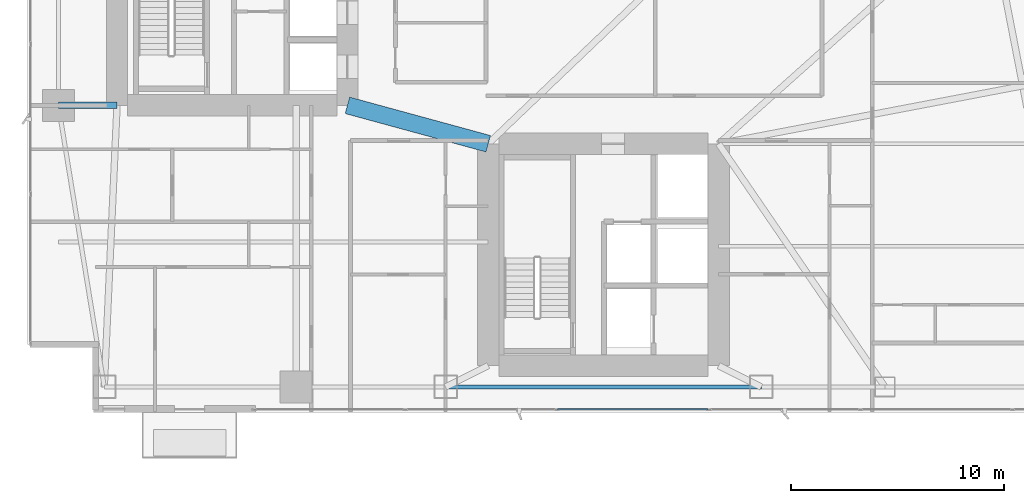
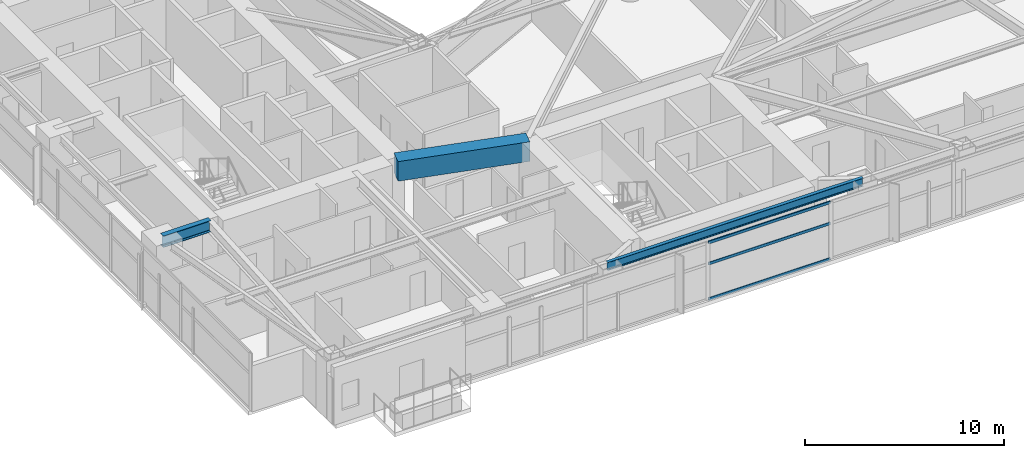
# One storey, part 6 of 28: 3 beams, 3 members, 1 element without a shape of its own.
"""IFC4 building model written with IfcOpenShell, lengths in metres."""

from ifc_helpers import new_model, si_unit, direction, frame, origin, origin_2d, place, context, subcontext, project, spatial, rectangle, hollow_rectangle, i_section, extrude, material, layer, layer_set, material_profile, profile_set, type_object, element, aggregate, save


model = new_model("IFC4")

# Units and contexts
model_context = context("Model", 3, precision=1e-05, world=origin(), true_north=direction((0.0, 1.0)))
body_context = subcontext(model_context, "Body", "Model", "MODEL_VIEW")
ifc_project = project(units=[si_unit("LENGTHUNIT", "METRE"), si_unit("AREAUNIT", "SQUARE_METRE"), si_unit("VOLUMEUNIT", "CUBIC_METRE"), si_unit("PLANEANGLEUNIT", "RADIAN"), si_unit("MASSUNIT", "GRAM", prefix="KILO")], contexts=[model_context])

# Site, building, storey
site_placement = place(None, origin())
site = spatial("IfcSite", under=ifc_project, at=site_placement, CompositionType="ELEMENT")
building_placement = place(site_placement, origin())
building = spatial("IfcBuilding", under=site, at=building_placement, Name="Calvorn Quay Hotel", CompositionType="ELEMENT")
storey_placement = place(building_placement, frame((0.0, 0.0, 42.199951171875)))
storey = spatial("IfcBuildingStorey", under=building, at=storey_placement, Name="L09", CompositionType="ELEMENT", Elevation=42.199951171875)

# Beams
ifc_material_1 = material(Name="Steel Q390GJC", Category="steel")
ifc_material_profile_1 = material_profile(ifc_material_1, i_section(OverallWidth=0.300048828125, OverallDepth=0.699951171875, WebThickness=0.012939453125, FlangeThickness=0.02392578125, FilletRadius=0.02392578125, at=origin_2d()), Name="HN700x300x13x24")
ifc_profile_set_1 = profile_set([ifc_material_profile_1], Name="Steel Q390GJC")
beam_type_1 = type_object("IfcBeamType", Name="BM-GIRD-MAIN", PredefinedType="BEAM", material=ifc_profile_set_1)
beam_1_placement = place(storey_placement, frame((1.449951171875, 16.800048828125, 3.170166015625), z_axis=(1.0, 0.0, 0.0), x_axis=(0.0, 1.0, 0.0)))
element("IfcBeam", 1, at=beam_1_placement, inside=storey, type_object=beam_type_1, Name="Beam BG-L09-W1", PredefinedType="BEAM", context=body_context, shape_type="SweptSolid", body=[
    extrude(i_section(OverallWidth=0.300048828125, OverallDepth=0.699951171875, WebThickness=0.012939453125, FlangeThickness=0.02392578125, FilletRadius=0.02392578125, at=origin_2d()), origin(), (0.0, 0.0, 1.0), 2.75),
])
ifc_material_2 = material(Name="Concrete C60", Category="concrete")
ifc_material_profile_2 = material_profile(ifc_material_2, rectangle(XDim=0.800048828125, YDim=1.199951171875, at=origin_2d()), Name="RCB800x1200")
ifc_profile_set_2 = profile_set([ifc_material_profile_2], Name="Concrete C60")
beam_type_2 = type_object("IfcBeamType", Name="BM-RC-LINK-800x1200", PredefinedType="BEAM", material=ifc_profile_set_2)
beam_2_placement = place(storey_placement, frame((15.0, 16.800048828125, 2.920166015625), z_axis=(0.964762997686, -0.263120425462, 0.0), x_axis=(0.263120425462, 0.964762997686, 0.0)))
element("IfcBeam", 2, at=beam_2_placement, inside=storey, type_object=beam_type_2, Name="Beam BCL-L09-01", PredefinedType="BEAM", context=body_context, shape_type="SweptSolid", body=[
    extrude(rectangle(XDim=0.800048828125, YDim=1.199951171875, at=origin_2d()), origin(), (0.0, 0.0, 1.0), 6.841064453125),
])
ifc_material_3 = material(Name="Steel Q355B", Category="steel")
ifc_material_profile_3 = material_profile(ifc_material_3, i_section(OverallWidth=0.199951171875, OverallDepth=0.5, WebThickness=0.010009765625, FlangeThickness=0.01611328125, FilletRadius=0.01611328125, at=origin_2d()), Name="HN500x200x10x16")
ifc_profile_set_3 = profile_set([ifc_material_profile_3], Name="Steel Q355B")
beam_type_3 = type_object("IfcBeamType", Name="BM-SPANDREL-Z1", PredefinedType="SPANDREL", material=ifc_profile_set_3)
beam_3_placement = place(storey_placement, frame((19.60009765625, 3.60009765625, 3.27001953125), z_axis=(1.0, 0.0, 0.0), x_axis=(0.0, 1.0, 0.0)))
element("IfcBeam", 3, at=beam_3_placement, inside=storey, type_object=beam_type_3, Name="Beam BSP-L09-S3", PredefinedType="SPANDREL", context=body_context, shape_type="SweptSolid", body=[
    extrude(i_section(OverallWidth=0.199951171875, OverallDepth=0.5, WebThickness=0.010009765625, FlangeThickness=0.01611328125, FilletRadius=0.01611328125, at=origin_2d()), origin(), (0.0, 0.0, 1.0), 14.7998046875),
])

# Curtain wall, members
ifc_material_4 = material(Name="Pale Anodised Aluminium and Low-E Glass", Category="aluminium")
ifc_layer = layer(ifc_material_4, 0.219970703125)
ifc_layer_set = layer_set([ifc_layer], Name="CW-SYS-Z1")
curtain_wall_type = type_object("IfcCurtainWallType", Name="CW-SYS-Z1", PredefinedType="NOTDEFINED", material=ifc_layer_set)
curtain_wall_placement = place(storey_placement, origin())
curtain_wall = element("IfcCurtainWall", 4, at=curtain_wall_placement, inside=storey, type_object=curtain_wall_type, Name="Tower South Waterfront Curtain Wall (L09)", PredefinedType="NOTDEFINED")
ifc_material_5 = material(Name="Pale Anodised Aluminium 6063-T6", Category="aluminium")
ifc_material_profile_4 = material_profile(ifc_material_5, hollow_rectangle(XDim=0.06494140625, YDim=0.1650390625, WallThickness=0.00341796875, at=origin_2d()), Name="ALU-T165x65x3.5")
ifc_profile_set_4 = profile_set([ifc_material_profile_4], Name="Pale Anodised Aluminium 6063-T6")
member_type = type_object("IfcMemberType", Name="CW-SYS-Z1-TRN", PredefinedType="USERDEFINED", material=ifc_profile_set_4)
member_1_placement = place(storey_placement, frame((24.858642578125, 2.550048828125, 0.030029296875), z_axis=(1.0, 0.0, 0.0), x_axis=(0.0, 1.0, 0.0)))
member_1 = element("IfcMember", 5, at=member_1_placement, type_object=member_type, Name="CW-L09-S transom 3.1", ObjectType="TRANSOM", PredefinedType="USERDEFINED", context=body_context, shape_type="SweptSolid", body=[
    extrude(hollow_rectangle(XDim=0.06494140625, YDim=0.1650390625, WallThickness=0.00341796875, at=origin_2d()), origin(), (0.0, 0.0, 1.0), 7.05419921875),
])
member_2_placement = place(storey_placement, frame((24.858642578125, 2.550048828125, 2.199951171875), z_axis=(1.0, 0.0, 0.0), x_axis=(0.0, 1.0, 0.0)))
member_2 = element("IfcMember", 6, at=member_2_placement, type_object=member_type, Name="CW-L09-S transom 3.2", ObjectType="TRANSOM", PredefinedType="USERDEFINED", context=body_context, shape_type="SweptSolid", body=[
    extrude(hollow_rectangle(XDim=0.06494140625, YDim=0.1650390625, WallThickness=0.00341796875, at=origin_2d()), origin(), (0.0, 0.0, 1.0), 7.05419921875),
])
member_3_placement = place(storey_placement, frame((24.858642578125, 2.550048828125, 3.489990234375), z_axis=(1.0, 0.0, 0.0), x_axis=(0.0, 1.0, 0.0)))
member_3 = element("IfcMember", 7, at=member_3_placement, type_object=member_type, Name="CW-L09-S transom 3.3", ObjectType="TRANSOM", PredefinedType="USERDEFINED", context=body_context, shape_type="SweptSolid", body=[
    extrude(hollow_rectangle(XDim=0.06494140625, YDim=0.1650390625, WallThickness=0.00341796875, at=origin_2d()), origin(), (0.0, 0.0, 1.0), 7.05419921875),
])
aggregate(curtain_wall, [member_1, member_2, member_3])

save(model, "model.ifc")
